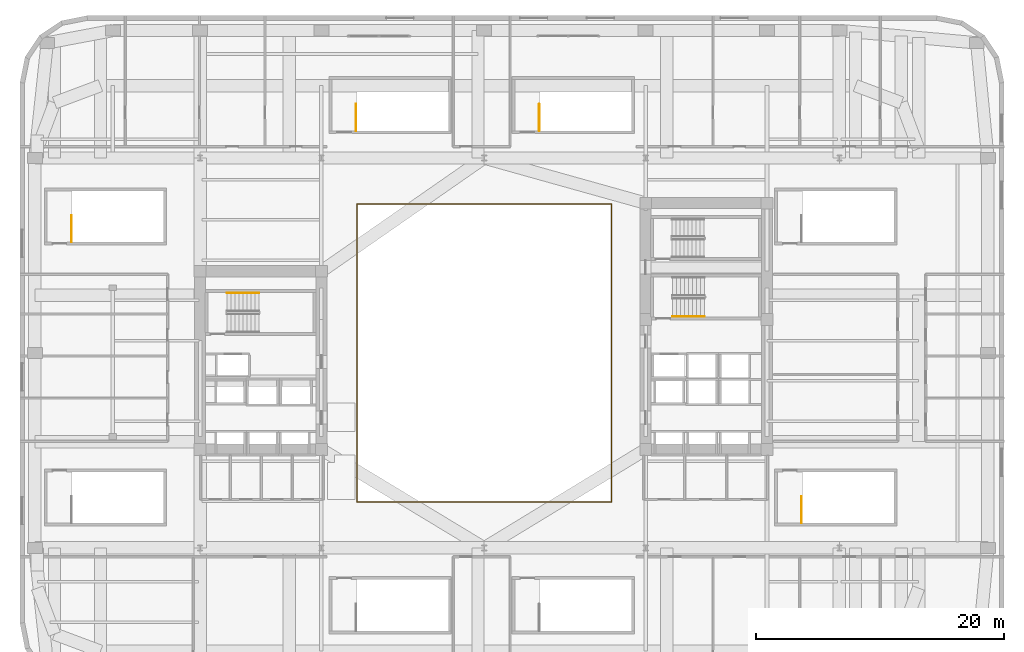
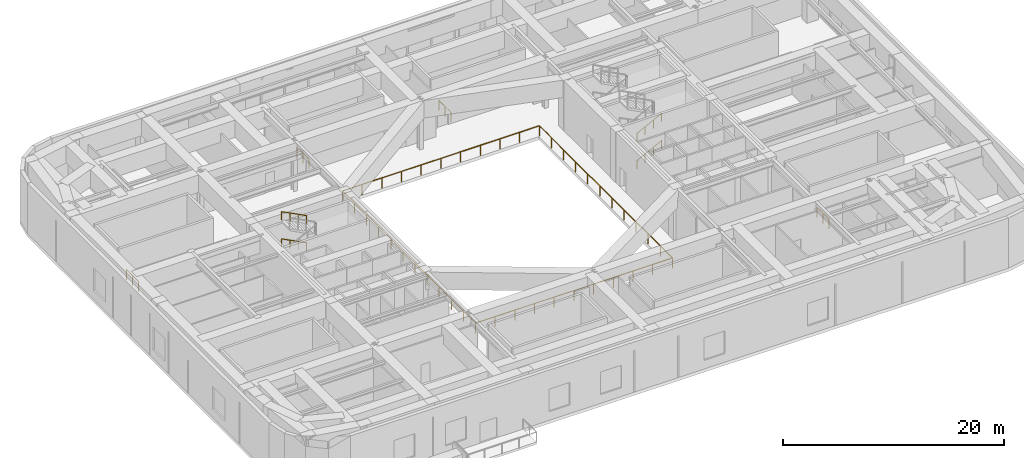
# One storey, part 15 of 16: 10 railings.
"""IFC4 building model written with IfcOpenShell, lengths in metres."""

from ifc_helpers import new_model, si_unit, direction, frame, origin, origin_2d, place, context, subcontext, project, spatial, circle, extrude, material, type_object, element, save


model = new_model("IFC4")

# Units and contexts
model_context = context("Model", 3, precision=1e-05, world=origin(), true_north=direction((0.0, 1.0)))
body_context = subcontext(model_context, "Body", "Model", "MODEL_VIEW")
ifc_project = project(units=[si_unit("LENGTHUNIT", "METRE"), si_unit("AREAUNIT", "SQUARE_METRE"), si_unit("VOLUMEUNIT", "CUBIC_METRE"), si_unit("PLANEANGLEUNIT", "RADIAN"), si_unit("MASSUNIT", "GRAM", prefix="KILO")], contexts=[model_context])

# Site, building, storey
site_placement = place(None, origin())
site = spatial("IfcSite", under=ifc_project, at=site_placement, CompositionType="ELEMENT")
building_placement = place(site_placement, origin())
building = spatial("IfcBuilding", under=site, at=building_placement, Name="Kolvaren Arena Tower", CompositionType="ELEMENT")
storey_placement = place(building_placement, frame((0.0, 0.0, 28.0)))
storey = spatial("IfcBuildingStorey", under=building, at=storey_placement, Name="L05", CompositionType="ELEMENT", Elevation=28.0)

# Railings
ifc_material_1 = material(Name="Heavy-duty crowd steel guardrail", Category="steel")
railing_type_1 = type_object("IfcRailingType", Name="GUARD-ARN-110", PredefinedType="GUARDRAIL", material=ifc_material_1)
railing_1_placement = place(storey_placement, frame((27.219970703125, 15.219970703125, 0.0)))
element("IfcRailing", 1, at=railing_1_placement, inside=storey, type_object=railing_type_1, Name="Arena Concourse Well Perimeter Guard (L05)", PredefinedType="GUARDRAIL", context=body_context, shape_type="SweptSolid", body=[
    extrude(circle(Radius=0.02734375, at=origin_2d()), frame((0.0, 0.0, 1.12255859375), z_axis=(1.0, 0.0, 0.0), x_axis=(0.0, 1.0, 0.0)), (0.0, 0.0, 1.0), 20.56005859375),
    extrude(circle(Radius=0.02734375, at=origin_2d()), frame((20.56005859375, 0.0, 1.12255859375), z_axis=(0.0, 1.0, 0.0), x_axis=(-1.0, 0.0, 0.0)), (0.0, 0.0, 1.0), 24.06005859375),
    extrude(circle(Radius=0.0224609375, at=origin_2d()), origin(), (0.0, 0.0, 1.0), 1.094970703125),
    extrude(circle(Radius=0.0224609375, at=origin_2d()), frame((2.055908203125, 0.0, 0.0)), (0.0, 0.0, 1.0), 1.094970703125),
    extrude(circle(Radius=0.0224609375, at=origin_2d()), frame((4.112060546875, 0.0, 0.0)), (0.0, 0.0, 1.0), 1.094970703125),
    extrude(circle(Radius=0.0224609375, at=origin_2d()), frame((6.16796875, 0.0, 0.0)), (0.0, 0.0, 1.0), 1.094970703125),
    extrude(circle(Radius=0.0224609375, at=origin_2d()), frame((8.22412109375, 0.0, 0.0)), (0.0, 0.0, 1.0), 1.094970703125),
    extrude(circle(Radius=0.0224609375, at=origin_2d()), frame((10.280029296875, 0.0, 0.0)), (0.0, 0.0, 1.0), 1.094970703125),
    extrude(circle(Radius=0.0224609375, at=origin_2d()), frame((12.3359375, 0.0, 0.0)), (0.0, 0.0, 1.0), 1.094970703125),
    extrude(circle(Radius=0.0224609375, at=origin_2d()), frame((14.39208984375, 0.0, 0.0)), (0.0, 0.0, 1.0), 1.094970703125),
    extrude(circle(Radius=0.0224609375, at=origin_2d()), frame((16.447998046875, 0.0, 0.0)), (0.0, 0.0, 1.0), 1.094970703125),
    extrude(circle(Radius=0.0224609375, at=origin_2d()), frame((18.504150390625, 0.0, 0.0)), (0.0, 0.0, 1.0), 1.094970703125),
    extrude(circle(Radius=0.0224609375, at=origin_2d()), frame((20.56005859375, 0.0, 0.0)), (0.0, 0.0, 1.0), 1.094970703125),
    extrude(circle(Radius=0.0224609375, at=origin_2d()), frame((20.56005859375, 2.187255859375, 0.0)), (0.0, 0.0, 1.0), 1.094970703125),
    extrude(circle(Radius=0.0224609375, at=origin_2d()), frame((20.56005859375, 4.37451171875, 0.0)), (0.0, 0.0, 1.0), 1.094970703125),
    extrude(circle(Radius=0.0224609375, at=origin_2d()), frame((20.56005859375, 6.561767578125, 0.0)), (0.0, 0.0, 1.0), 1.094970703125),
    extrude(circle(Radius=0.0224609375, at=origin_2d()), frame((20.56005859375, 8.7490234375, 0.0)), (0.0, 0.0, 1.0), 1.094970703125),
    extrude(circle(Radius=0.0224609375, at=origin_2d()), frame((20.56005859375, 10.936279296875, 0.0)), (0.0, 0.0, 1.0), 1.094970703125),
    extrude(circle(Radius=0.0224609375, at=origin_2d()), frame((20.56005859375, 13.123779296875, 0.0)), (0.0, 0.0, 1.0), 1.094970703125),
    extrude(circle(Radius=0.0224609375, at=origin_2d()), frame((20.56005859375, 15.31103515625, 0.0)), (0.0, 0.0, 1.0), 1.094970703125),
    extrude(circle(Radius=0.0224609375, at=origin_2d()), frame((20.56005859375, 17.498291015625, 0.0)), (0.0, 0.0, 1.0), 1.094970703125),
    extrude(circle(Radius=0.0224609375, at=origin_2d()), frame((20.56005859375, 19.685546875, 0.0)), (0.0, 0.0, 1.0), 1.094970703125),
    extrude(circle(Radius=0.0224609375, at=origin_2d()), frame((20.56005859375, 21.872802734375, 0.0)), (0.0, 0.0, 1.0), 1.094970703125),
    extrude(circle(Radius=0.0224609375, at=origin_2d()), frame((20.56005859375, 24.06005859375, 0.0)), (0.0, 0.0, 1.0), 1.094970703125),
])
railing_2_placement = place(storey_placement, frame((47.780029296875, 39.280029296875, 0.0)))
element("IfcRailing", 2, at=railing_2_placement, inside=storey, type_object=railing_type_1, Name="Arena Concourse Well Perimeter Guard (L05)", PredefinedType="GUARDRAIL", context=body_context, shape_type="SweptSolid", body=[
    extrude(circle(Radius=0.02734375, at=origin_2d()), frame((0.0, 0.0, 1.12255859375), z_axis=(-1.0, 0.0, 0.0), x_axis=(0.0, -1.0, 0.0)), (0.0, 0.0, 1.0), 20.56005859375),
    extrude(circle(Radius=0.02734375, at=origin_2d()), frame((-20.56005859375, 0.0, 1.12255859375), z_axis=(0.0, -1.0, 0.0), x_axis=(1.0, 0.0, 0.0)), (0.0, 0.0, 1.0), 24.06005859375),
    extrude(circle(Radius=0.0224609375, at=origin_2d()), origin(), (0.0, 0.0, 1.0), 1.094970703125),
    extrude(circle(Radius=0.0224609375, at=origin_2d()), frame((-2.055908203125, 0.0, 0.0)), (0.0, 0.0, 1.0), 1.094970703125),
    extrude(circle(Radius=0.0224609375, at=origin_2d()), frame((-4.112060546875, 0.0, 0.0)), (0.0, 0.0, 1.0), 1.094970703125),
    extrude(circle(Radius=0.0224609375, at=origin_2d()), frame((-6.16796875, 0.0, 0.0)), (0.0, 0.0, 1.0), 1.094970703125),
    extrude(circle(Radius=0.0224609375, at=origin_2d()), frame((-8.22412109375, 0.0, 0.0)), (0.0, 0.0, 1.0), 1.094970703125),
    extrude(circle(Radius=0.0224609375, at=origin_2d()), frame((-10.280029296875, 0.0, 0.0)), (0.0, 0.0, 1.0), 1.094970703125),
    extrude(circle(Radius=0.0224609375, at=origin_2d()), frame((-12.3359375, 0.0, 0.0)), (0.0, 0.0, 1.0), 1.094970703125),
    extrude(circle(Radius=0.0224609375, at=origin_2d()), frame((-14.39208984375, 0.0, 0.0)), (0.0, 0.0, 1.0), 1.094970703125),
    extrude(circle(Radius=0.0224609375, at=origin_2d()), frame((-16.447998046875, 0.0, 0.0)), (0.0, 0.0, 1.0), 1.094970703125),
    extrude(circle(Radius=0.0224609375, at=origin_2d()), frame((-18.504150390625, 0.0, 0.0)), (0.0, 0.0, 1.0), 1.094970703125),
    extrude(circle(Radius=0.0224609375, at=origin_2d()), frame((-20.56005859375, 0.0, 0.0)), (0.0, 0.0, 1.0), 1.094970703125),
    extrude(circle(Radius=0.0224609375, at=origin_2d()), frame((-20.56005859375, -2.187255859375, 0.0)), (0.0, 0.0, 1.0), 1.094970703125),
    extrude(circle(Radius=0.0224609375, at=origin_2d()), frame((-20.56005859375, -4.37451171875, 0.0)), (0.0, 0.0, 1.0), 1.094970703125),
    extrude(circle(Radius=0.0224609375, at=origin_2d()), frame((-20.56005859375, -6.561767578125, 0.0)), (0.0, 0.0, 1.0), 1.094970703125),
    extrude(circle(Radius=0.0224609375, at=origin_2d()), frame((-20.56005859375, -8.7490234375, 0.0)), (0.0, 0.0, 1.0), 1.094970703125),
    extrude(circle(Radius=0.0224609375, at=origin_2d()), frame((-20.56005859375, -10.936279296875, 0.0)), (0.0, 0.0, 1.0), 1.094970703125),
    extrude(circle(Radius=0.0224609375, at=origin_2d()), frame((-20.56005859375, -13.123779296875, 0.0)), (0.0, 0.0, 1.0), 1.094970703125),
    extrude(circle(Radius=0.0224609375, at=origin_2d()), frame((-20.56005859375, -15.31103515625, 0.0)), (0.0, 0.0, 1.0), 1.094970703125),
    extrude(circle(Radius=0.0224609375, at=origin_2d()), frame((-20.56005859375, -17.498291015625, 0.0)), (0.0, 0.0, 1.0), 1.094970703125),
    extrude(circle(Radius=0.0224609375, at=origin_2d()), frame((-20.56005859375, -19.685546875, 0.0)), (0.0, 0.0, 1.0), 1.094970703125),
    extrude(circle(Radius=0.0224609375, at=origin_2d()), frame((-20.56005859375, -21.872802734375, 0.0)), (0.0, 0.0, 1.0), 1.094970703125),
    extrude(circle(Radius=0.0224609375, at=origin_2d()), frame((-20.56005859375, -24.06005859375, 0.0)), (0.0, 0.0, 1.0), 1.094970703125),
])
ifc_material_2 = material(Name="Painted galvanized steel", Category="steel")
railing_type_2 = type_object("IfcRailingType", Name="GUARD-ST-110", PredefinedType="GUARDRAIL", material=ifc_material_2)
railing_3_placement = place(storey_placement, frame((63.14990234375, 13.5, 0.0)))
element("IfcRailing", 3, at=railing_3_placement, inside=storey, type_object=railing_type_2, Name="L05 ST-A4 top well guard 1", PredefinedType="GUARDRAIL", context=body_context, shape_type="SweptSolid", body=[
    extrude(circle(Radius=0.02392578125, at=origin_2d()), frame((0.0, 0.0, 1.076171875), z_axis=(0.0, 1.0, 0.0), x_axis=(-1.0, 0.0, 0.0)), (0.0, 0.0, 1.0), 2.14990234375),
    extrude(circle(Radius=0.02099609375, at=origin_2d()), origin(), (0.0, 0.0, 1.0), 1.052001953125),
    extrude(circle(Radius=0.02099609375, at=origin_2d()), frame((0.0, 1.074951171875, 0.0)), (0.0, 0.0, 1.0), 1.052001953125),
    extrude(circle(Radius=0.02099609375, at=origin_2d()), frame((0.0, 2.14990234375, 0.0)), (0.0, 0.0, 1.0), 1.052001953125),
])
for number, where, name in (
    (4, (4.14990234375, 36.199951171875, 0.0), "L05 ST-A5 top well guard 1"),
    (5, (27.14990234375, 45.199951171875, 0.0), "L05 ST-A6 top well guard 1"),
    (6, (41.949951171875, 45.199951171875, 0.0), "L05 ST-A7 top well guard 1"),
):
    element("IfcRailing", number, at=place(storey_placement, frame(where)), inside=storey, type_object=railing_type_2, Name=name, PredefinedType="GUARDRAIL", context=body_context, shape_type="SweptSolid", body=[
        extrude(circle(Radius=0.02392578125, at=origin_2d()), frame((0.0, 0.0, 1.076171875), z_axis=(0.0, 1.0, 0.0), x_axis=(-1.0, 0.0, 0.0)), (0.0, 0.0, 1.0), 2.150146484375),
        extrude(circle(Radius=0.02099609375, at=origin_2d()), origin(), (0.0, 0.0, 1.0), 1.052001953125),
        extrude(circle(Radius=0.02099609375, at=origin_2d()), frame((0.0, 1.0751953125, 0.0)), (0.0, 0.0, 1.0), 1.052001953125),
        extrude(circle(Radius=0.02099609375, at=origin_2d()), frame((0.0, 2.150146484375, 0.0)), (0.0, 0.0, 1.0), 1.052001953125),
    ])
ifc_material_3 = material(Name="Brushed stainless steel handrail", Category="steel")
railing_type_3 = type_object("IfcRailingType", Name="HRAIL-900", PredefinedType="HANDRAIL", material=ifc_material_3)
for number, where, name in (
    (7, (19.31201171875, 32.080078125, 1.666748046875), "L05 ST-W1 stair handrail 2"),
    (8, (19.31201171875, 32.080078125, 4.666748046875), "L05 ST-W1 stair handrail 4"),
):
    element("IfcRailing", number, at=place(storey_placement, frame(where)), inside=storey, type_object=railing_type_3, Name=name, PredefinedType="HANDRAIL", context=body_context, shape_type="SweptSolid", body=[
        extrude(circle(Radius=0.02392578125, at=origin_2d()), frame((0.0, 0.0, 0.8759765625), z_axis=(-0.889259574853, 0.0, 0.457402895194), x_axis=(0.0, -1.0, 0.0)), (0.0, 0.0, 1.0), 2.914794921875),
        extrude(circle(Radius=0.02099609375, at=origin_2d()), origin(), (0.0, 0.0, 1.0), 0.851806640625),
        extrude(circle(Radius=0.02099609375, at=origin_2d()), frame((-0.864013671875, 0.0, 0.4443359375)), (0.0, 0.0, 1.0), 0.851806640625),
        extrude(circle(Radius=0.02099609375, at=origin_2d()), frame((-1.72802734375, 0.0, 0.888916015625)), (0.0, 0.0, 1.0), 0.851806640625),
        extrude(circle(Radius=0.02099609375, at=origin_2d()), frame((-2.592041015625, 0.0, 1.333251953125)), (0.0, 0.0, 1.0), 0.851806640625),
    ])
for number, where, name in (
    (9, (52.719970703125, 30.199951171875, 0.166748046875), "L05 ST-E1 stair handrail 1"),
    (10, (52.719970703125, 30.199951171875, 3.166748046875), "L05 ST-E1 stair handrail 3"),
):
    element("IfcRailing", number, at=place(storey_placement, frame(where)), inside=storey, type_object=railing_type_3, Name=name, PredefinedType="HANDRAIL", context=body_context, shape_type="SweptSolid", body=[
        extrude(circle(Radius=0.02392578125, at=origin_2d()), frame((0.0, 0.0, 0.8759765625), z_axis=(0.889259574853, 0.0, 0.457402895194), x_axis=(0.0, 1.0, 0.0)), (0.0, 0.0, 1.0), 2.914794921875),
        extrude(circle(Radius=0.02099609375, at=origin_2d()), origin(), (0.0, 0.0, 1.0), 0.851806640625),
        extrude(circle(Radius=0.02099609375, at=origin_2d()), frame((0.864013671875, 0.0, 0.4443359375)), (0.0, 0.0, 1.0), 0.851806640625),
        extrude(circle(Radius=0.02099609375, at=origin_2d()), frame((1.72802734375, 0.0, 0.888916015625)), (0.0, 0.0, 1.0), 0.851806640625),
        extrude(circle(Radius=0.02099609375, at=origin_2d()), frame((2.592041015625, 0.0, 1.333251953125)), (0.0, 0.0, 1.0), 0.851806640625),
    ])

save(model, "model.ifc")
